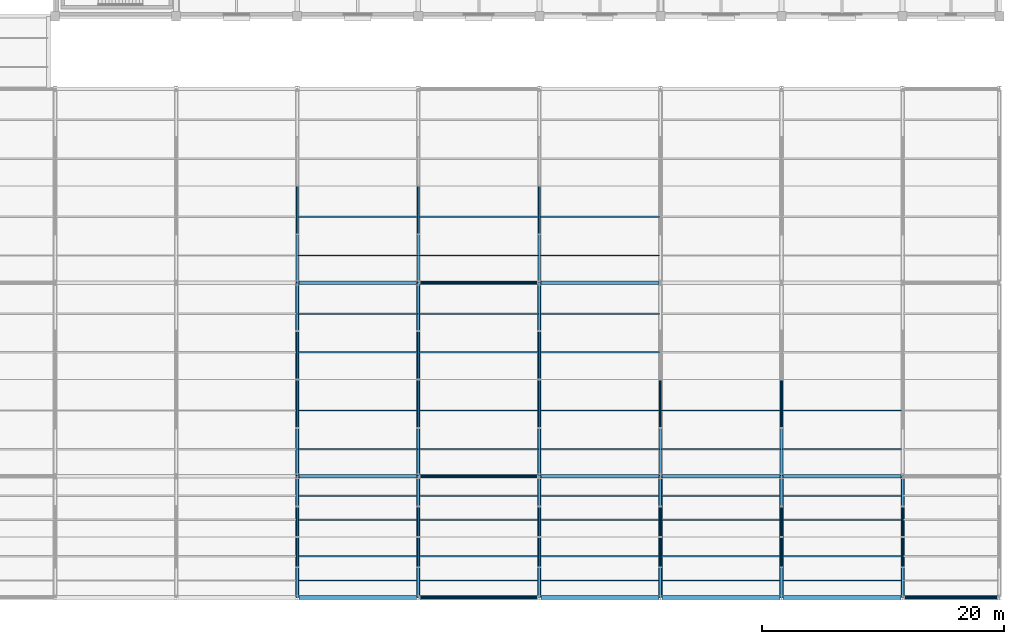
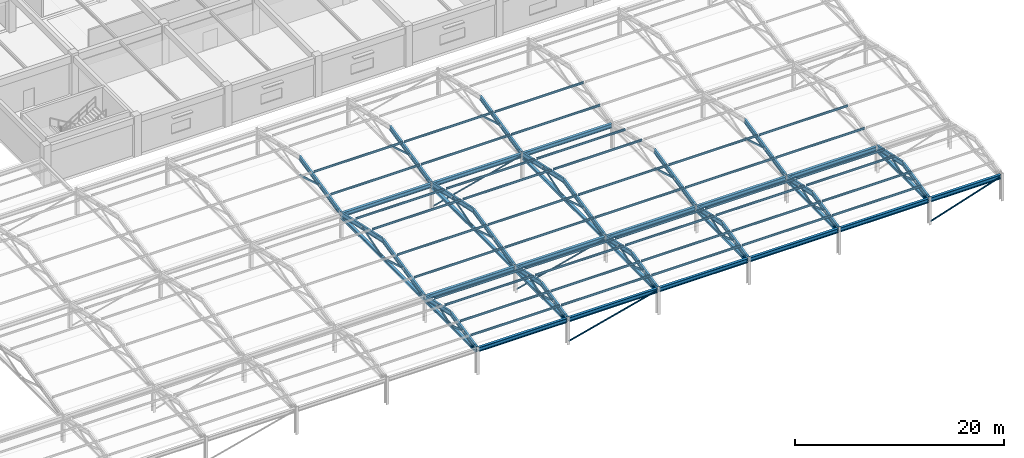
# One storey, part 48 of 109: 78 members, 37 beams.
"""IFC4 building model written with IfcOpenShell, lengths in metres."""

import ifcopenshell
import ifcopenshell.guid

model = None  # the IFC model being written
_history = None  # IfcOwnerHistory: only IFC2X3 demands one
_inside = {}  # id of a spatial element -> (the spatial element, [elements in it])
_under = {}  # id of a project, library or spatial element -> (it, [spatial elements below it])
_declared = {}  # id of a project -> (the project, [libraries it declares])
_typed = {}  # id of a type object -> (the type object, [elements of that type])
_made_of = {}  # id of a material, layer set ... -> (it, [elements and type objects made of it])


def new_model(schema):
    """Start an empty IFC model of exactly this schema.

    Asked for "IFC4X3", IfcOpenShell would pick the latest addendum, in which some entities
    have other attributes; the version numbers below select the first issue.
    IFC2X3 requires an IfcOwnerHistory on every rooted entity: one is made here for all.
    """
    global model, _history
    if schema == "IFC4X3":
        model = ifcopenshell.file(schema_version=(4, 3, 0, 0))
    else:
        model = ifcopenshell.file(schema=schema)
    _inside.clear()
    _under.clear()
    _declared.clear()
    _typed.clear()
    _made_of.clear()
    _history = None
    if model.schema == "IFC2X3":
        org = make("IfcOrganization", Name="unknown")
        user = make(
            "IfcPersonAndOrganization",
            ThePerson=make("IfcPerson", FamilyName="unknown"),
            TheOrganization=org,
        )
        app = make(
            "IfcApplication",
            ApplicationDeveloper=org,
            Version="unknown",
            ApplicationFullName="unknown",
            ApplicationIdentifier="unknown",
        )
        _history = make(
            "IfcOwnerHistory",
            OwningUser=user,
            OwningApplication=app,
            ChangeAction="ADDED",
            CreationDate=0,
        )
    return model


def make(cls, **values):
    """One entity of the class cls with the attributes given. An attribute that is None is left unset."""
    return model.create_entity(
        cls, **{name: value for name, value in values.items() if value is not None}
    )


def rooted(cls, **values):
    """An entity with a GlobalId (a new one), such as an element, a storey or a relation."""
    return make(cls, GlobalId=ifcopenshell.guid.new(), OwnerHistory=_history, **values)


def si_unit(unit_type, name, prefix=None):
    """IfcSIUnit, for example si_unit("LENGTHUNIT", "METRE", prefix="MILLI")."""
    return make("IfcSIUnit", UnitType=unit_type, Prefix=prefix, Name=name)


def assignment(units):
    """IfcUnitAssignment: the units of a project."""
    return None if units is None else make("IfcUnitAssignment", Units=units)


def point(xyz):
    """IfcCartesianPoint."""
    return None if xyz is None else make("IfcCartesianPoint", Coordinates=xyz)


def direction(xyz):
    """IfcDirection."""
    return None if xyz is None else make("IfcDirection", DirectionRatios=xyz)


def frame(location, z_axis=None, x_axis=None):
    """IfcAxis2Placement3D, a coordinate frame: its origin and axes. An axis left out is left unset."""
    return make(
        "IfcAxis2Placement3D",
        Location=point(location),
        Axis=direction(z_axis),
        RefDirection=direction(x_axis),
    )


def frame_2d(location, x_axis=None):
    """IfcAxis2Placement2D, a coordinate frame in the plane: its origin and x axis."""
    return make(
        "IfcAxis2Placement2D", Location=point(location), RefDirection=direction(x_axis)
    )


def origin():
    """The frame at (0, 0, 0) with its axes left unset."""
    return frame((0.0, 0.0, 0.0))


def origin_2d():
    """The frame at (0, 0) in the plane with its x axis left unset."""
    return frame_2d((0.0, 0.0))


def place(relative_to, where):
    """IfcLocalPlacement: puts the frame where relative to a parent placement (None: the world)."""
    return make(
        "IfcLocalPlacement", PlacementRelTo=relative_to, RelativePlacement=where
    )


def context(
    kind, dimensions, precision=None, world=None, true_north=None, identifier=None
):
    """IfcGeometricRepresentationContext, for example the 3D "Model" context."""
    return make(
        "IfcGeometricRepresentationContext",
        ContextIdentifier=identifier,
        ContextType=kind,
        CoordinateSpaceDimension=dimensions,
        Precision=precision,
        WorldCoordinateSystem=world,
        TrueNorth=true_north,
    )


def subcontext(parent, identifier, kind, view, scale=None):
    """IfcGeometricRepresentationSubContext, for example "Body" below "Model"."""
    return make(
        "IfcGeometricRepresentationSubContext",
        ContextIdentifier=identifier,
        ContextType=kind,
        ParentContext=parent,
        TargetScale=scale,
        TargetView=view,
    )


def project(units=None, contexts=None):
    """IfcProject with its units and contexts."""
    return rooted(
        "IfcProject",
        Name="project",
        RepresentationContexts=contexts,
        UnitsInContext=assignment(units),
    )


def spatial(cls, under=None, at=None, **own):
    """A site, building, storey or space (cls), placed at a placement, below another one or the project."""
    s = rooted(cls, ObjectPlacement=at, **own)
    if under is not None:
        _under.setdefault(under.id(), (under, []))[1].append(s)
    return s


def profile(cls, at=None, kind="AREA", **sizes):
    """A parametric profile (cls). Its sizes go by their IFC names, for example OverallWidth=200.0."""
    return make(cls, ProfileType=kind, Position=at, **sizes)


def hollow_rectangle(**sizes):
    """IfcRectangleHollowProfileDef."""
    return profile("IfcRectangleHollowProfileDef", **sizes)


def hollow_circle(**sizes):
    """IfcCircleHollowProfileDef."""
    return profile("IfcCircleHollowProfileDef", **sizes)


def i_section(**sizes):
    """IfcIShapeProfileDef."""
    return profile("IfcIShapeProfileDef", **sizes)


def extrude(swept, where, along, depth):
    """IfcExtrudedAreaSolid: the profile swept, set in the frame where, extruded along a direction by depth."""
    return make(
        "IfcExtrudedAreaSolid",
        SweptArea=swept,
        Position=where,
        ExtrudedDirection=direction(along),
        Depth=depth,
    )


def shape(context_of_items, identifier, shape_type, items):
    """IfcShapeRepresentation: the items that make up one representation, for example the "Body"."""
    return make(
        "IfcShapeRepresentation",
        ContextOfItems=context_of_items,
        RepresentationIdentifier=identifier,
        RepresentationType=shape_type,
        Items=items,
    )


def material(Name=None, Category=None):
    """IfcMaterial."""
    return make("IfcMaterial", Name=Name, Category=Category)


def material_profile(
    of_material, cross_section, Name=None, Category=None, Priority=None
):
    """IfcMaterialProfile: a cross section and its material."""
    return make(
        "IfcMaterialProfile",
        Name=Name,
        Material=of_material,
        Profile=cross_section,
        Priority=Priority,
        Category=Category,
    )


def profile_set(profiles, Name=None, composite=None):
    """IfcMaterialProfileSet."""
    return make(
        "IfcMaterialProfileSet",
        Name=Name,
        MaterialProfiles=profiles,
        CompositeProfile=composite,
    )


def made_of(thing, what):
    """Note that an element or type object is made of a material, layer set ...; save() writes the relation."""
    if what is not None:
        _made_of.setdefault(what.id(), (what, []))[1].append(thing)
    return thing


def type_object(cls, material=None, **own):
    """A type object (cls), such as IfcWallType, which elements share."""
    return made_of(rooted(cls, **own), material)


def element(
    cls,
    number,
    at=None,
    inside=None,
    cuts=None,
    type_object=None,
    material=None,
    context=None,
    identifier="Body",
    shape_type=None,
    held_by="IfcProductDefinitionShape",
    body=None,
    shapes=None,
    **own,
):
    """One element of the class cls, such as IfcWall. Its Tag is "e" and its number.

    at: its placement. inside: the storey or other place that contains it. cuts: it is an
    opening in that element (IfcRelVoidsElement). A single representation is given by context,
    identifier, shape_type and body (its items); several are given by shapes. held_by: the class
    of the entity that holds the representations. save() writes the other relations.
    """
    e = rooted(cls, Tag="e%d" % number, ObjectPlacement=at, **own)
    if body is not None:
        shapes = [shape(context, identifier, shape_type, body)]
    if shapes is not None:
        e.Representation = make(held_by, Representations=shapes)
    if inside is not None:
        _inside.setdefault(inside.id(), (inside, []))[1].append(e)
    if cuts is not None:
        rooted(
            "IfcRelVoidsElement", RelatingBuildingElement=cuts, RelatedOpeningElement=e
        )
    if type_object is not None:
        _typed.setdefault(type_object.id(), (type_object, []))[1].append(e)
    return made_of(e, material)


def aggregate(whole, parts):
    """IfcRelAggregates: a whole, such as a stair, and the parts it consists of."""
    return rooted("IfcRelAggregates", RelatingObject=whole, RelatedObjects=parts)


def save(model, path):
    """Write the relations noted so far, then the file.

    IfcRelAggregates (storeys below a building ...), IfcRelContainedInSpatialStructure (elements
    in a storey), IfcRelDefinesByType, IfcRelAssociatesMaterial and IfcRelDeclares: one each for
    every whole, place, type object, material and project.
    """
    for whole, parts in _under.values():
        aggregate(whole, parts)
    for where, things in _inside.values():
        rooted(
            "IfcRelContainedInSpatialStructure",
            RelatedElements=things,
            RelatingStructure=where,
        )
    for kind, things in _typed.values():
        rooted("IfcRelDefinesByType", RelatedObjects=things, RelatingType=kind)
    for what, things in _made_of.values():
        rooted("IfcRelAssociatesMaterial", RelatedObjects=things, RelatingMaterial=what)
    for by, libraries in _declared.values():
        rooted("IfcRelDeclares", RelatingContext=by, RelatedDefinitions=libraries)
    model.write(path)


model = new_model("IFC4")

# Units and contexts
model_context = context("Model", 3, precision=1e-05, world=origin(), true_north=direction((0.0, 1.0)))
body_context = subcontext(model_context, "Body", "Model", "MODEL_VIEW")
ifc_project = project(units=[si_unit("LENGTHUNIT", "METRE"), si_unit("AREAUNIT", "SQUARE_METRE"), si_unit("VOLUMEUNIT", "CUBIC_METRE"), si_unit("PLANEANGLEUNIT", "RADIAN"), si_unit("MASSUNIT", "GRAM", prefix="KILO")], contexts=[model_context])

# Site, building, storey
site_placement = place(None, origin())
site = spatial("IfcSite", under=ifc_project, at=site_placement, CompositionType="ELEMENT")
building_placement = place(site_placement, origin())
building = spatial("IfcBuilding", under=site, at=building_placement, Name="Kivolera Central Railway Station", CompositionType="ELEMENT")
storey_placement = place(building_placement, frame((0.0, 0.0, 9.60009765625)))
storey = spatial("IfcBuildingStorey", under=building, at=storey_placement, Name="L02", CompositionType="ELEMENT", Elevation=9.60009765625)

# Beams
ifc_material = material(Name="Steel S355", Category="steel")
ifc_material_profile_1 = material_profile(ifc_material, i_section(OverallWidth=0.300048828125, OverallDepth=0.489990234375, WebThickness=0.011962890625, FlangeThickness=0.02294921875, FilletRadius=0.027099609375, at=origin_2d()), Name="HEA 500")
ifc_profile_set_1 = profile_set([ifc_material_profile_1], Name="Steel S355")
beam_type_1 = type_object("IfcBeamType", Name="BM-SHD-HEA500", PredefinedType="BEAM", material=ifc_profile_set_1)
for number, where, z_axis, x_axis, name in (
    (1, (138.136962890625, 6.0, 2.81982421875), (1.0, 0.0, 0.0), (0.0, 1.0, 0.0), "Train Shed Eave Girder A:14-15"),
    (2, (138.136962890625, 16.0, 2.81982421875), (1.0, 0.0, 0.0), (0.0, 1.0, 0.0), "Train Shed Eave Girder B:14-15"),
    (3, (138.136962890625, 32.0, 2.81982421875), (1.0, 0.0, 0.0), (0.0, 1.0, 0.0), "Train Shed Eave Girder C:14-15"),
    (4, (148.136962890625, 6.0, 2.81982421875), (1.0, 0.0, 0.0), (0.0, 1.0, 0.0), "Train Shed Eave Girder A:15-16"),
    (5, (148.136962890625, 16.0, 2.81982421875), (1.0, 0.0, 0.0), (0.0, 1.0, 0.0), "Train Shed Eave Girder B:15-16"),
    (6, (148.136962890625, 32.0, 2.81982421875), (1.0, 0.0, 0.0), (0.0, 1.0, 0.0), "Train Shed Eave Girder C:15-16"),
    (7, (158.136962890625, 6.0, 2.81982421875), (1.0, 0.0, 0.0), (0.0, 1.0, 0.0), "Train Shed Eave Girder A:16-17"),
    (8, (158.136962890625, 16.0, 2.81982421875), (1.0, 0.0, 0.0), (0.0, 1.0, 0.0), "Train Shed Eave Girder B:16-17"),
    (9, (158.136962890625, 32.0, 2.81982421875), (1.0, 0.0, 0.0), (0.0, 1.0, 0.0), "Train Shed Eave Girder C:16-17"),
    (10, (168.136962890625, 6.0, 2.81982421875), (1.0, 0.0, 0.0), (0.0, 1.0, 0.0), "Train Shed Eave Girder A:17-18"),
    (11, (168.136962890625, 16.0, 2.81982421875), (1.0, 0.0, 0.0), (0.0, 1.0, 0.0), "Train Shed Eave Girder B:17-18"),
    (12, (178.136962890625, 6.0, 2.81982421875), (1.0, 0.0, 0.0), (0.0, 1.0, 0.0), "Train Shed Eave Girder A:18-19"),
    (13, (178.136962890625, 16.0, 2.81982421875), (1.0, 0.0, 0.0), (0.0, 1.0, 0.0), "Train Shed Eave Girder B:18-19"),
):
    element("IfcBeam", number, at=place(storey_placement, frame(where, z_axis=z_axis, x_axis=x_axis)), inside=storey, type_object=beam_type_1, Name=name, PredefinedType="BEAM", context=body_context, shape_type="SweptSolid", body=[
        extrude(i_section(OverallWidth=0.300048828125, OverallDepth=0.489990234375, WebThickness=0.011962890625, FlangeThickness=0.02294921875, FilletRadius=0.027099609375, at=origin_2d()), origin(), (0.0, 0.0, 1.0), 9.72607421875),
    ])
beam_1_placement = place(storey_placement, frame((188.136962890625, 6.0, 2.81982421875), z_axis=(1.0, 0.0, 0.0), x_axis=(0.0, 1.0, 0.0)))
element("IfcBeam", 14, at=beam_1_placement, inside=storey, type_object=beam_type_1, Name="Train Shed Eave Girder A:19-20", PredefinedType="BEAM", context=body_context, shape_type="SweptSolid", body=[
    extrude(i_section(OverallWidth=0.300048828125, OverallDepth=0.489990234375, WebThickness=0.011962890625, FlangeThickness=0.02294921875, FilletRadius=0.027099609375, at=origin_2d()), origin(), (0.0, 0.0, 1.0), 7.72607421875),
])
ifc_material_profile_2 = material_profile(ifc_material, i_section(OverallWidth=0.209228515625, OverallDepth=0.533203125, WebThickness=0.010009765625, FlangeThickness=0.015625, FilletRadius=0.0126953125, at=origin_2d()), Name="UB 533x210x92")
ifc_profile_set_2 = profile_set([ifc_material_profile_2], Name="Steel S355")
beam_type_2 = type_object("IfcBeamType", Name="BM-SHD-UB533", PredefinedType="BEAM", material=ifc_profile_set_2)
for number, where, z_axis, x_axis, name in (
    (15, (138.0, 6.0, 2.9248046875), (0.0, 0.976640463768, 0.214879977038), (-1.0, 0.0, 0.0), "Train Shed Roof Truss Top Rafter AB-14S"),
    (16, (138.0, 11.0, 4.02490234375), (0.0, 0.976640463768, -0.214879977038), (-1.0, 0.0, 0.0), "Train Shed Roof Truss Top Rafter AB-14N"),
):
    element("IfcBeam", number, at=place(storey_placement, frame(where, z_axis=z_axis, x_axis=x_axis)), inside=storey, type_object=beam_type_2, Name=name, PredefinedType="BEAM", context=body_context, shape_type="SweptSolid", body=[
        extrude(i_section(OverallWidth=0.209228515625, OverallDepth=0.533203125, WebThickness=0.010009765625, FlangeThickness=0.015625, FilletRadius=0.0126953125, at=origin_2d()), origin(), (0.0, 0.0, 1.0), 5.11962890625),
    ])
for number, where, z_axis, x_axis, name in (
    (17, (138.0, 16.0, 2.9248046875), (0.0, 0.97664421653, 0.214862919829), (-1.0, 0.0, 0.0), "Train Shed Roof Truss Top Rafter BC-14S"),
    (18, (138.0, 24.0, 4.684814453125), (0.0, 0.97664421653, -0.214862919829), (-1.0, 0.0, 0.0), "Train Shed Roof Truss Top Rafter BC-14N"),
    (19, (138.0, 32.0, 2.9248046875), (0.0, 0.97664421653, 0.214862919829), (-1.0, 0.0, 0.0), "Train Shed Roof Truss Top Rafter CD-14S"),
):
    element("IfcBeam", number, at=place(storey_placement, frame(where, z_axis=z_axis, x_axis=x_axis)), inside=storey, type_object=beam_type_2, Name=name, PredefinedType="BEAM", context=body_context, shape_type="SweptSolid", body=[
        extrude(i_section(OverallWidth=0.209228515625, OverallDepth=0.533203125, WebThickness=0.010009765625, FlangeThickness=0.015625, FilletRadius=0.0126953125, at=origin_2d()), origin(), (0.0, 0.0, 1.0), 8.19140625),
    ])
for number, where, z_axis, x_axis, name in (
    (20, (148.0, 6.0, 2.9248046875), (0.0, 0.976640463768, 0.214879977038), (-1.0, 0.0, 0.0), "Train Shed Roof Truss Top Rafter AB-15S"),
    (21, (148.0, 11.0, 4.02490234375), (0.0, 0.976640463768, -0.214879977038), (-1.0, 0.0, 0.0), "Train Shed Roof Truss Top Rafter AB-15N"),
):
    element("IfcBeam", number, at=place(storey_placement, frame(where, z_axis=z_axis, x_axis=x_axis)), inside=storey, type_object=beam_type_2, Name=name, PredefinedType="BEAM", context=body_context, shape_type="SweptSolid", body=[
        extrude(i_section(OverallWidth=0.209228515625, OverallDepth=0.533203125, WebThickness=0.010009765625, FlangeThickness=0.015625, FilletRadius=0.0126953125, at=origin_2d()), origin(), (0.0, 0.0, 1.0), 5.11962890625),
    ])
for number, where, z_axis, x_axis, name in (
    (22, (148.0, 16.0, 2.9248046875), (0.0, 0.97664421653, 0.214862919829), (-1.0, 0.0, 0.0), "Train Shed Roof Truss Top Rafter BC-15S"),
    (23, (148.0, 24.0, 4.684814453125), (0.0, 0.97664421653, -0.214862919829), (-1.0, 0.0, 0.0), "Train Shed Roof Truss Top Rafter BC-15N"),
    (24, (148.0, 32.0, 2.9248046875), (0.0, 0.97664421653, 0.214862919829), (-1.0, 0.0, 0.0), "Train Shed Roof Truss Top Rafter CD-15S"),
):
    element("IfcBeam", number, at=place(storey_placement, frame(where, z_axis=z_axis, x_axis=x_axis)), inside=storey, type_object=beam_type_2, Name=name, PredefinedType="BEAM", context=body_context, shape_type="SweptSolid", body=[
        extrude(i_section(OverallWidth=0.209228515625, OverallDepth=0.533203125, WebThickness=0.010009765625, FlangeThickness=0.015625, FilletRadius=0.0126953125, at=origin_2d()), origin(), (0.0, 0.0, 1.0), 8.19140625),
    ])
for number, where, z_axis, x_axis, name in (
    (25, (158.0, 6.0, 2.9248046875), (0.0, 0.976640463768, 0.214879977038), (-1.0, 0.0, 0.0), "Train Shed Roof Truss Top Rafter AB-16S"),
    (26, (158.0, 11.0, 4.02490234375), (0.0, 0.976640463768, -0.214879977038), (-1.0, 0.0, 0.0), "Train Shed Roof Truss Top Rafter AB-16N"),
):
    element("IfcBeam", number, at=place(storey_placement, frame(where, z_axis=z_axis, x_axis=x_axis)), inside=storey, type_object=beam_type_2, Name=name, PredefinedType="BEAM", context=body_context, shape_type="SweptSolid", body=[
        extrude(i_section(OverallWidth=0.209228515625, OverallDepth=0.533203125, WebThickness=0.010009765625, FlangeThickness=0.015625, FilletRadius=0.0126953125, at=origin_2d()), origin(), (0.0, 0.0, 1.0), 5.11962890625),
    ])
for number, where, z_axis, x_axis, name in (
    (27, (158.0, 16.0, 2.9248046875), (0.0, 0.97664421653, 0.214862919829), (-1.0, 0.0, 0.0), "Train Shed Roof Truss Top Rafter BC-16S"),
    (28, (158.0, 24.0, 4.684814453125), (0.0, 0.97664421653, -0.214862919829), (-1.0, 0.0, 0.0), "Train Shed Roof Truss Top Rafter BC-16N"),
    (29, (158.0, 32.0, 2.9248046875), (0.0, 0.97664421653, 0.214862919829), (-1.0, 0.0, 0.0), "Train Shed Roof Truss Top Rafter CD-16S"),
):
    element("IfcBeam", number, at=place(storey_placement, frame(where, z_axis=z_axis, x_axis=x_axis)), inside=storey, type_object=beam_type_2, Name=name, PredefinedType="BEAM", context=body_context, shape_type="SweptSolid", body=[
        extrude(i_section(OverallWidth=0.209228515625, OverallDepth=0.533203125, WebThickness=0.010009765625, FlangeThickness=0.015625, FilletRadius=0.0126953125, at=origin_2d()), origin(), (0.0, 0.0, 1.0), 8.19140625),
    ])
for number, where, z_axis, x_axis, name in (
    (30, (168.0, 6.0, 2.9248046875), (0.0, 0.976640463768, 0.214879977038), (-1.0, 0.0, 0.0), "Train Shed Roof Truss Top Rafter AB-17S"),
    (31, (168.0, 11.0, 4.02490234375), (0.0, 0.976640463768, -0.214879977038), (-1.0, 0.0, 0.0), "Train Shed Roof Truss Top Rafter AB-17N"),
):
    element("IfcBeam", number, at=place(storey_placement, frame(where, z_axis=z_axis, x_axis=x_axis)), inside=storey, type_object=beam_type_2, Name=name, PredefinedType="BEAM", context=body_context, shape_type="SweptSolid", body=[
        extrude(i_section(OverallWidth=0.209228515625, OverallDepth=0.533203125, WebThickness=0.010009765625, FlangeThickness=0.015625, FilletRadius=0.0126953125, at=origin_2d()), origin(), (0.0, 0.0, 1.0), 5.11962890625),
    ])
beam_2_placement = place(storey_placement, frame((168.0, 16.0, 2.9248046875), z_axis=(0.0, 0.97664421653, 0.214862919829), x_axis=(-1.0, 0.0, 0.0)))
element("IfcBeam", 32, at=beam_2_placement, inside=storey, type_object=beam_type_2, Name="Train Shed Roof Truss Top Rafter BC-17S", PredefinedType="BEAM", context=body_context, shape_type="SweptSolid", body=[
    extrude(i_section(OverallWidth=0.209228515625, OverallDepth=0.533203125, WebThickness=0.010009765625, FlangeThickness=0.015625, FilletRadius=0.0126953125, at=origin_2d()), origin(), (0.0, 0.0, 1.0), 8.19140625),
])
for number, where, z_axis, x_axis, name in (
    (33, (178.0, 6.0, 2.9248046875), (0.0, 0.976640463768, 0.214879977038), (-1.0, 0.0, 0.0), "Train Shed Roof Truss Top Rafter AB-18S"),
    (34, (178.0, 11.0, 4.02490234375), (0.0, 0.976640463768, -0.214879977038), (-1.0, 0.0, 0.0), "Train Shed Roof Truss Top Rafter AB-18N"),
):
    element("IfcBeam", number, at=place(storey_placement, frame(where, z_axis=z_axis, x_axis=x_axis)), inside=storey, type_object=beam_type_2, Name=name, PredefinedType="BEAM", context=body_context, shape_type="SweptSolid", body=[
        extrude(i_section(OverallWidth=0.209228515625, OverallDepth=0.533203125, WebThickness=0.010009765625, FlangeThickness=0.015625, FilletRadius=0.0126953125, at=origin_2d()), origin(), (0.0, 0.0, 1.0), 5.11962890625),
    ])
beam_3_placement = place(storey_placement, frame((178.0, 16.0, 2.9248046875), z_axis=(0.0, 0.97664421653, 0.214862919829), x_axis=(-1.0, 0.0, 0.0)))
element("IfcBeam", 35, at=beam_3_placement, inside=storey, type_object=beam_type_2, Name="Train Shed Roof Truss Top Rafter BC-18S", PredefinedType="BEAM", context=body_context, shape_type="SweptSolid", body=[
    extrude(i_section(OverallWidth=0.209228515625, OverallDepth=0.533203125, WebThickness=0.010009765625, FlangeThickness=0.015625, FilletRadius=0.0126953125, at=origin_2d()), origin(), (0.0, 0.0, 1.0), 8.19140625),
])
for number, where, z_axis, x_axis, name in (
    (36, (188.0, 6.0, 2.9248046875), (0.0, 0.976640463768, 0.214879977038), (-1.0, 0.0, 0.0), "Train Shed Roof Truss Top Rafter AB-19S"),
    (37, (188.0, 11.0, 4.02490234375), (0.0, 0.976640463768, -0.214879977038), (-1.0, 0.0, 0.0), "Train Shed Roof Truss Top Rafter AB-19N"),
):
    element("IfcBeam", number, at=place(storey_placement, frame(where, z_axis=z_axis, x_axis=x_axis)), inside=storey, type_object=beam_type_2, Name=name, PredefinedType="BEAM", context=body_context, shape_type="SweptSolid", body=[
        extrude(i_section(OverallWidth=0.209228515625, OverallDepth=0.533203125, WebThickness=0.010009765625, FlangeThickness=0.015625, FilletRadius=0.0126953125, at=origin_2d()), origin(), (0.0, 0.0, 1.0), 5.11962890625),
    ])

# Members
ifc_material_profile_3 = material_profile(ifc_material, hollow_circle(Radius=0.084228515625, WallThickness=0.008056640625, at=origin_2d()), Name="CHS 168.3x8")
ifc_profile_set_3 = profile_set([ifc_material_profile_3], Name="Steel S355")
member_type_1 = type_object("IfcMemberType", Name="MEM-BRC-CHS168", PredefinedType="BRACE", material=ifc_profile_set_3)
for number, where, z_axis, x_axis, name in (
    (38, (148.126953125, 6.0, 0.25), (0.96863991136, 0.0, 0.248468754818), (0.0, 1.0, 0.0), "Train Shed Longitudinal Portal Brace A:15-16"),
    (39, (148.126953125, 16.0, 0.25), (0.96863991136, 0.0, 0.248468754818), (0.0, 1.0, 0.0), "Train Shed Longitudinal Portal Brace B:15-16"),
    (40, (148.126953125, 32.0, 0.25), (0.96863991136, 0.0, 0.248468754818), (0.0, 1.0, 0.0), "Train Shed Longitudinal Portal Brace C:15-16"),
):
    element("IfcMember", number, at=place(storey_placement, frame(where, z_axis=z_axis, x_axis=x_axis)), inside=storey, type_object=member_type_1, Name=name, PredefinedType="BRACE", context=body_context, shape_type="SweptSolid", body=[
        extrude(hollow_circle(Radius=0.084228515625, WallThickness=0.008056640625, at=origin_2d()), origin(), (0.0, 0.0, 1.0), 10.0615234375),
    ])
member_1_placement = place(storey_placement, frame((188.126953125, 6.0, 0.25), z_axis=(0.951663375487, 0.0, 0.307142995618), x_axis=(0.0, 1.0, 0.0)))
element("IfcMember", 41, at=member_1_placement, inside=storey, type_object=member_type_1, Name="Train Shed Longitudinal Portal Brace A:19-20", PredefinedType="BRACE", context=body_context, shape_type="SweptSolid", body=[
    extrude(hollow_circle(Radius=0.084228515625, WallThickness=0.008056640625, at=origin_2d()), origin(), (0.0, 0.0, 1.0), 8.1396484375),
])
ifc_material_profile_4 = material_profile(ifc_material, i_section(OverallWidth=0.300048828125, OverallDepth=0.300048828125, WebThickness=0.010986328125, FlangeThickness=0.01904296875, FilletRadius=0.027099609375, at=origin_2d()), Name="HEB 300")
ifc_profile_set_4 = profile_set([ifc_material_profile_4], Name="Steel S355")
member_type_2 = type_object("IfcMemberType", Name="MEM-CHD-HEB300", PredefinedType="CHORD", material=ifc_profile_set_4)
member_2_placement = place(storey_placement, frame((138.0, 6.080078125, 2.619873046875), z_axis=(0.0, 1.0, 0.0), x_axis=(-1.0, 0.0, 0.0)))
element("IfcMember", 42, at=member_2_placement, inside=storey, type_object=member_type_2, Name="Train Shed Roof Truss Bottom Tie Chord AB-14", PredefinedType="CHORD", context=body_context, shape_type="SweptSolid", body=[
    extrude(i_section(OverallWidth=0.300048828125, OverallDepth=0.300048828125, WebThickness=0.010986328125, FlangeThickness=0.01904296875, FilletRadius=0.027099609375, at=origin_2d()), origin(), (0.0, 0.0, 1.0), 9.83984375),
])
member_3_placement = place(storey_placement, frame((138.0, 16.080078125, 2.619873046875), z_axis=(0.0, 1.0, 0.0), x_axis=(-1.0, 0.0, 0.0)))
element("IfcMember", 43, at=member_3_placement, inside=storey, type_object=member_type_2, Name="Train Shed Roof Truss Bottom Tie Chord BC-14", PredefinedType="CHORD", context=body_context, shape_type="SweptSolid", body=[
    extrude(i_section(OverallWidth=0.300048828125, OverallDepth=0.300048828125, WebThickness=0.010986328125, FlangeThickness=0.01904296875, FilletRadius=0.027099609375, at=origin_2d()), origin(), (0.0, 0.0, 1.0), 15.83984375),
])
member_4_placement = place(storey_placement, frame((148.0, 6.080078125, 2.619873046875), z_axis=(0.0, 1.0, 0.0), x_axis=(-1.0, 0.0, 0.0)))
element("IfcMember", 44, at=member_4_placement, inside=storey, type_object=member_type_2, Name="Train Shed Roof Truss Bottom Tie Chord AB-15", PredefinedType="CHORD", context=body_context, shape_type="SweptSolid", body=[
    extrude(i_section(OverallWidth=0.300048828125, OverallDepth=0.300048828125, WebThickness=0.010986328125, FlangeThickness=0.01904296875, FilletRadius=0.027099609375, at=origin_2d()), origin(), (0.0, 0.0, 1.0), 9.83984375),
])
member_5_placement = place(storey_placement, frame((148.0, 16.080078125, 2.619873046875), z_axis=(0.0, 1.0, 0.0), x_axis=(-1.0, 0.0, 0.0)))
element("IfcMember", 45, at=member_5_placement, inside=storey, type_object=member_type_2, Name="Train Shed Roof Truss Bottom Tie Chord BC-15", PredefinedType="CHORD", context=body_context, shape_type="SweptSolid", body=[
    extrude(i_section(OverallWidth=0.300048828125, OverallDepth=0.300048828125, WebThickness=0.010986328125, FlangeThickness=0.01904296875, FilletRadius=0.027099609375, at=origin_2d()), origin(), (0.0, 0.0, 1.0), 15.83984375),
])
member_6_placement = place(storey_placement, frame((158.0, 6.080078125, 2.619873046875), z_axis=(0.0, 1.0, 0.0), x_axis=(-1.0, 0.0, 0.0)))
element("IfcMember", 46, at=member_6_placement, inside=storey, type_object=member_type_2, Name="Train Shed Roof Truss Bottom Tie Chord AB-16", PredefinedType="CHORD", context=body_context, shape_type="SweptSolid", body=[
    extrude(i_section(OverallWidth=0.300048828125, OverallDepth=0.300048828125, WebThickness=0.010986328125, FlangeThickness=0.01904296875, FilletRadius=0.027099609375, at=origin_2d()), origin(), (0.0, 0.0, 1.0), 9.83984375),
])
member_7_placement = place(storey_placement, frame((158.0, 16.080078125, 2.619873046875), z_axis=(0.0, 1.0, 0.0), x_axis=(-1.0, 0.0, 0.0)))
element("IfcMember", 47, at=member_7_placement, inside=storey, type_object=member_type_2, Name="Train Shed Roof Truss Bottom Tie Chord BC-16", PredefinedType="CHORD", context=body_context, shape_type="SweptSolid", body=[
    extrude(i_section(OverallWidth=0.300048828125, OverallDepth=0.300048828125, WebThickness=0.010986328125, FlangeThickness=0.01904296875, FilletRadius=0.027099609375, at=origin_2d()), origin(), (0.0, 0.0, 1.0), 15.83984375),
])
for number, where, z_axis, x_axis, name in (
    (48, (168.0, 6.080078125, 2.619873046875), (0.0, 1.0, 0.0), (-1.0, 0.0, 0.0), "Train Shed Roof Truss Bottom Tie Chord AB-17"),
    (49, (178.0, 6.080078125, 2.619873046875), (0.0, 1.0, 0.0), (-1.0, 0.0, 0.0), "Train Shed Roof Truss Bottom Tie Chord AB-18"),
    (50, (188.0, 6.080078125, 2.619873046875), (0.0, 1.0, 0.0), (-1.0, 0.0, 0.0), "Train Shed Roof Truss Bottom Tie Chord AB-19"),
):
    element("IfcMember", number, at=place(storey_placement, frame(where, z_axis=z_axis, x_axis=x_axis)), inside=storey, type_object=member_type_2, Name=name, PredefinedType="CHORD", context=body_context, shape_type="SweptSolid", body=[
        extrude(i_section(OverallWidth=0.300048828125, OverallDepth=0.300048828125, WebThickness=0.010986328125, FlangeThickness=0.01904296875, FilletRadius=0.027099609375, at=origin_2d()), origin(), (0.0, 0.0, 1.0), 9.83984375),
    ])
ifc_material_profile_5 = material_profile(ifc_material, i_section(OverallWidth=0.1201171875, OverallDepth=0.239990234375, WebThickness=0.006103515625, FlangeThickness=0.009765625, FilletRadius=0.014892578125, at=origin_2d()), Name="IPE 240")
ifc_profile_set_5 = profile_set([ifc_material_profile_5], Name="Steel S355")
member_type_3 = type_object("IfcMemberType", Name="MEM-PUR-IPE240", PredefinedType="PURLIN", material=ifc_profile_set_5)
for number, where, z_axis, x_axis, name in (
    (51, (138.080078125, 7.39990234375, 3.61279296875), (1.0, 0.0, 0.0), (0.0, 1.0, 0.0), "Train Shed Roof Purlin AB-14-S1"),
    (52, (138.080078125, 12.39990234375, 4.096923828125), (1.0, 0.0, 0.0), (0.0, 1.0, 0.0), "Train Shed Roof Purlin AB-14-N1"),
    (53, (138.080078125, 9.39990234375, 4.052978515625), (1.0, 0.0, 0.0), (0.0, 1.0, 0.0), "Train Shed Roof Purlin AB-14-S2"),
    (54, (138.080078125, 14.39990234375, 3.656982421875), (1.0, 0.0, 0.0), (0.0, 1.0, 0.0), "Train Shed Roof Purlin AB-14-N2"),
    (55, (138.080078125, 18.239990234375, 3.7978515625), (1.0, 0.0, 0.0), (0.0, 1.0, 0.0), "Train Shed Roof Purlin BC-14-S1"),
    (56, (138.080078125, 26.239990234375, 4.572021484375), (1.0, 0.0, 0.0), (0.0, 1.0, 0.0), "Train Shed Roof Purlin BC-14-N1"),
    (57, (138.080078125, 21.43994140625, 4.501953125), (1.0, 0.0, 0.0), (0.0, 1.0, 0.0), "Train Shed Roof Purlin BC-14-S2"),
    (58, (138.080078125, 29.43994140625, 3.867919921875), (1.0, 0.0, 0.0), (0.0, 1.0, 0.0), "Train Shed Roof Purlin BC-14-N2"),
    (59, (138.080078125, 34.239990234375, 3.7978515625), (1.0, 0.0, 0.0), (0.0, 1.0, 0.0), "Train Shed Roof Purlin CD-14-S1"),
    (60, (138.080078125, 37.43994140625, 4.501953125), (1.0, 0.0, 0.0), (0.0, 1.0, 0.0), "Train Shed Roof Purlin CD-14-S2"),
    (61, (148.080078125, 7.39990234375, 3.61279296875), (1.0, 0.0, 0.0), (0.0, 1.0, 0.0), "Train Shed Roof Purlin AB-15-S1"),
    (62, (148.080078125, 12.39990234375, 4.096923828125), (1.0, 0.0, 0.0), (0.0, 1.0, 0.0), "Train Shed Roof Purlin AB-15-N1"),
    (63, (148.080078125, 9.39990234375, 4.052978515625), (1.0, 0.0, 0.0), (0.0, 1.0, 0.0), "Train Shed Roof Purlin AB-15-S2"),
    (64, (148.080078125, 14.39990234375, 3.656982421875), (1.0, 0.0, 0.0), (0.0, 1.0, 0.0), "Train Shed Roof Purlin AB-15-N2"),
    (65, (148.080078125, 18.239990234375, 3.7978515625), (1.0, 0.0, 0.0), (0.0, 1.0, 0.0), "Train Shed Roof Purlin BC-15-S1"),
    (66, (148.080078125, 26.239990234375, 4.572021484375), (1.0, 0.0, 0.0), (0.0, 1.0, 0.0), "Train Shed Roof Purlin BC-15-N1"),
    (67, (148.080078125, 21.43994140625, 4.501953125), (1.0, 0.0, 0.0), (0.0, 1.0, 0.0), "Train Shed Roof Purlin BC-15-S2"),
    (68, (148.080078125, 29.43994140625, 3.867919921875), (1.0, 0.0, 0.0), (0.0, 1.0, 0.0), "Train Shed Roof Purlin BC-15-N2"),
    (69, (148.080078125, 34.239990234375, 3.7978515625), (1.0, 0.0, 0.0), (0.0, 1.0, 0.0), "Train Shed Roof Purlin CD-15-S1"),
    (70, (148.080078125, 37.43994140625, 4.501953125), (1.0, 0.0, 0.0), (0.0, 1.0, 0.0), "Train Shed Roof Purlin CD-15-S2"),
    (71, (158.080078125, 7.39990234375, 3.61279296875), (1.0, 0.0, 0.0), (0.0, 1.0, 0.0), "Train Shed Roof Purlin AB-16-S1"),
    (72, (158.080078125, 12.39990234375, 4.096923828125), (1.0, 0.0, 0.0), (0.0, 1.0, 0.0), "Train Shed Roof Purlin AB-16-N1"),
    (73, (158.080078125, 9.39990234375, 4.052978515625), (1.0, 0.0, 0.0), (0.0, 1.0, 0.0), "Train Shed Roof Purlin AB-16-S2"),
    (74, (158.080078125, 14.39990234375, 3.656982421875), (1.0, 0.0, 0.0), (0.0, 1.0, 0.0), "Train Shed Roof Purlin AB-16-N2"),
    (75, (158.080078125, 18.239990234375, 3.7978515625), (1.0, 0.0, 0.0), (0.0, 1.0, 0.0), "Train Shed Roof Purlin BC-16-S1"),
    (76, (158.080078125, 26.239990234375, 4.572021484375), (1.0, 0.0, 0.0), (0.0, 1.0, 0.0), "Train Shed Roof Purlin BC-16-N1"),
    (77, (158.080078125, 21.43994140625, 4.501953125), (1.0, 0.0, 0.0), (0.0, 1.0, 0.0), "Train Shed Roof Purlin BC-16-S2"),
    (78, (158.080078125, 29.43994140625, 3.867919921875), (1.0, 0.0, 0.0), (0.0, 1.0, 0.0), "Train Shed Roof Purlin BC-16-N2"),
    (79, (158.080078125, 34.239990234375, 3.7978515625), (1.0, 0.0, 0.0), (0.0, 1.0, 0.0), "Train Shed Roof Purlin CD-16-S1"),
    (80, (158.080078125, 37.43994140625, 4.501953125), (1.0, 0.0, 0.0), (0.0, 1.0, 0.0), "Train Shed Roof Purlin CD-16-S2"),
    (81, (168.080078125, 7.39990234375, 3.61279296875), (1.0, 0.0, 0.0), (0.0, 1.0, 0.0), "Train Shed Roof Purlin AB-17-S1"),
    (82, (168.080078125, 12.39990234375, 4.096923828125), (1.0, 0.0, 0.0), (0.0, 1.0, 0.0), "Train Shed Roof Purlin AB-17-N1"),
    (83, (168.080078125, 9.39990234375, 4.052978515625), (1.0, 0.0, 0.0), (0.0, 1.0, 0.0), "Train Shed Roof Purlin AB-17-S2"),
    (84, (168.080078125, 14.39990234375, 3.656982421875), (1.0, 0.0, 0.0), (0.0, 1.0, 0.0), "Train Shed Roof Purlin AB-17-N2"),
    (85, (168.080078125, 18.239990234375, 3.7978515625), (1.0, 0.0, 0.0), (0.0, 1.0, 0.0), "Train Shed Roof Purlin BC-17-S1"),
    (86, (168.080078125, 21.43994140625, 4.501953125), (1.0, 0.0, 0.0), (0.0, 1.0, 0.0), "Train Shed Roof Purlin BC-17-S2"),
    (87, (178.080078125, 7.39990234375, 3.61279296875), (1.0, 0.0, 0.0), (0.0, 1.0, 0.0), "Train Shed Roof Purlin AB-18-S1"),
    (88, (178.080078125, 12.39990234375, 4.096923828125), (1.0, 0.0, 0.0), (0.0, 1.0, 0.0), "Train Shed Roof Purlin AB-18-N1"),
    (89, (178.080078125, 9.39990234375, 4.052978515625), (1.0, 0.0, 0.0), (0.0, 1.0, 0.0), "Train Shed Roof Purlin AB-18-S2"),
    (90, (178.080078125, 14.39990234375, 3.656982421875), (1.0, 0.0, 0.0), (0.0, 1.0, 0.0), "Train Shed Roof Purlin AB-18-N2"),
    (91, (178.080078125, 18.239990234375, 3.7978515625), (1.0, 0.0, 0.0), (0.0, 1.0, 0.0), "Train Shed Roof Purlin BC-18-S1"),
    (92, (178.080078125, 21.43994140625, 4.501953125), (1.0, 0.0, 0.0), (0.0, 1.0, 0.0), "Train Shed Roof Purlin BC-18-S2"),
):
    element("IfcMember", number, at=place(storey_placement, frame(where, z_axis=z_axis, x_axis=x_axis)), inside=storey, type_object=member_type_3, Name=name, PredefinedType="PURLIN", context=body_context, shape_type="SweptSolid", body=[
        extrude(i_section(OverallWidth=0.1201171875, OverallDepth=0.239990234375, WebThickness=0.006103515625, FlangeThickness=0.009765625, FilletRadius=0.014892578125, at=origin_2d()), origin(), (0.0, 0.0, 1.0), 9.83984375),
    ])
ifc_material_profile_6 = material_profile(ifc_material, hollow_rectangle(XDim=0.10009765625, YDim=0.199951171875, WallThickness=0.010009765625, at=origin_2d()), Name="RHS 200x100x10")
ifc_profile_set_6 = profile_set([ifc_material_profile_6], Name="Steel S355")
member_type_4 = type_object("IfcMemberType", Name="MEM-STR-RHS200", PredefinedType="STRUT", material=ifc_profile_set_6)
for number, where, z_axis, x_axis, name in (
    (93, (138.0, 11.0, 2.619873046875), (0.0, -0.946196747594, 0.323591895515), (1.0, 0.0, 0.0), "Train Shed Truss Web Strut AB-14-1"),
    (94, (138.0, 11.0, 2.619873046875), (0.0, 0.946196747594, 0.323591895515), (-1.0, 0.0, 0.0), "Train Shed Truss Web Strut AB-14-2"),
):
    element("IfcMember", number, at=place(storey_placement, frame(where, z_axis=z_axis, x_axis=x_axis)), inside=storey, type_object=member_type_4, Name=name, PredefinedType="STRUT", context=body_context, shape_type="SweptSolid", body=[
        extrude(hollow_rectangle(XDim=0.10009765625, YDim=0.199951171875, WallThickness=0.010009765625, at=origin_2d()), origin(), (0.0, 0.0, 1.0), 2.64208984375),
    ])
for number, where, z_axis, x_axis, name in (
    (95, (138.0, 24.0, 2.619873046875), (0.0, -0.958806377549, 0.284060434364), (1.0, 0.0, 0.0), "Train Shed Truss Web Strut BC-14-1"),
    (96, (138.0, 24.0, 2.619873046875), (0.0, 0.958806377549, 0.284060434364), (-1.0, 0.0, 0.0), "Train Shed Truss Web Strut BC-14-2"),
    (97, (138.0, 40.0, 2.619873046875), (0.0, -0.958806377549, 0.284060434364), (1.0, 0.0, 0.0), "Train Shed Truss Web Strut CD-14-1"),
):
    element("IfcMember", number, at=place(storey_placement, frame(where, z_axis=z_axis, x_axis=x_axis)), inside=storey, type_object=member_type_4, Name=name, PredefinedType="STRUT", context=body_context, shape_type="SweptSolid", body=[
        extrude(hollow_rectangle(XDim=0.10009765625, YDim=0.199951171875, WallThickness=0.010009765625, at=origin_2d()), origin(), (0.0, 0.0, 1.0), 4.171875),
    ])
for number, where, z_axis, x_axis, name in (
    (98, (148.0, 11.0, 2.619873046875), (0.0, -0.946196747594, 0.323591895515), (1.0, 0.0, 0.0), "Train Shed Truss Web Strut AB-15-1"),
    (99, (148.0, 11.0, 2.619873046875), (0.0, 0.946196747594, 0.323591895515), (-1.0, 0.0, 0.0), "Train Shed Truss Web Strut AB-15-2"),
):
    element("IfcMember", number, at=place(storey_placement, frame(where, z_axis=z_axis, x_axis=x_axis)), inside=storey, type_object=member_type_4, Name=name, PredefinedType="STRUT", context=body_context, shape_type="SweptSolid", body=[
        extrude(hollow_rectangle(XDim=0.10009765625, YDim=0.199951171875, WallThickness=0.010009765625, at=origin_2d()), origin(), (0.0, 0.0, 1.0), 2.64208984375),
    ])
for number, where, z_axis, x_axis, name in (
    (100, (148.0, 24.0, 2.619873046875), (0.0, -0.958806377549, 0.284060434364), (1.0, 0.0, 0.0), "Train Shed Truss Web Strut BC-15-1"),
    (101, (148.0, 24.0, 2.619873046875), (0.0, 0.958806377549, 0.284060434364), (-1.0, 0.0, 0.0), "Train Shed Truss Web Strut BC-15-2"),
    (102, (148.0, 40.0, 2.619873046875), (0.0, -0.958806377549, 0.284060434364), (1.0, 0.0, 0.0), "Train Shed Truss Web Strut CD-15-1"),
):
    element("IfcMember", number, at=place(storey_placement, frame(where, z_axis=z_axis, x_axis=x_axis)), inside=storey, type_object=member_type_4, Name=name, PredefinedType="STRUT", context=body_context, shape_type="SweptSolid", body=[
        extrude(hollow_rectangle(XDim=0.10009765625, YDim=0.199951171875, WallThickness=0.010009765625, at=origin_2d()), origin(), (0.0, 0.0, 1.0), 4.171875),
    ])
for number, where, z_axis, x_axis, name in (
    (103, (158.0, 11.0, 2.619873046875), (0.0, -0.946196747594, 0.323591895515), (1.0, 0.0, 0.0), "Train Shed Truss Web Strut AB-16-1"),
    (104, (158.0, 11.0, 2.619873046875), (0.0, 0.946196747594, 0.323591895515), (-1.0, 0.0, 0.0), "Train Shed Truss Web Strut AB-16-2"),
):
    element("IfcMember", number, at=place(storey_placement, frame(where, z_axis=z_axis, x_axis=x_axis)), inside=storey, type_object=member_type_4, Name=name, PredefinedType="STRUT", context=body_context, shape_type="SweptSolid", body=[
        extrude(hollow_rectangle(XDim=0.10009765625, YDim=0.199951171875, WallThickness=0.010009765625, at=origin_2d()), origin(), (0.0, 0.0, 1.0), 2.64208984375),
    ])
for number, where, z_axis, x_axis, name in (
    (105, (158.0, 24.0, 2.619873046875), (0.0, -0.958806377549, 0.284060434364), (1.0, 0.0, 0.0), "Train Shed Truss Web Strut BC-16-1"),
    (106, (158.0, 24.0, 2.619873046875), (0.0, 0.958806377549, 0.284060434364), (-1.0, 0.0, 0.0), "Train Shed Truss Web Strut BC-16-2"),
    (107, (158.0, 40.0, 2.619873046875), (0.0, -0.958806377549, 0.284060434364), (1.0, 0.0, 0.0), "Train Shed Truss Web Strut CD-16-1"),
):
    element("IfcMember", number, at=place(storey_placement, frame(where, z_axis=z_axis, x_axis=x_axis)), inside=storey, type_object=member_type_4, Name=name, PredefinedType="STRUT", context=body_context, shape_type="SweptSolid", body=[
        extrude(hollow_rectangle(XDim=0.10009765625, YDim=0.199951171875, WallThickness=0.010009765625, at=origin_2d()), origin(), (0.0, 0.0, 1.0), 4.171875),
    ])
for number, where, z_axis, x_axis, name in (
    (108, (168.0, 11.0, 2.619873046875), (0.0, -0.946196747594, 0.323591895515), (1.0, 0.0, 0.0), "Train Shed Truss Web Strut AB-17-1"),
    (109, (168.0, 11.0, 2.619873046875), (0.0, 0.946196747594, 0.323591895515), (-1.0, 0.0, 0.0), "Train Shed Truss Web Strut AB-17-2"),
):
    element("IfcMember", number, at=place(storey_placement, frame(where, z_axis=z_axis, x_axis=x_axis)), inside=storey, type_object=member_type_4, Name=name, PredefinedType="STRUT", context=body_context, shape_type="SweptSolid", body=[
        extrude(hollow_rectangle(XDim=0.10009765625, YDim=0.199951171875, WallThickness=0.010009765625, at=origin_2d()), origin(), (0.0, 0.0, 1.0), 2.64208984375),
    ])
member_8_placement = place(storey_placement, frame((168.0, 24.0, 2.619873046875), z_axis=(0.0, -0.958806377549, 0.284060434364), x_axis=(1.0, 0.0, 0.0)))
element("IfcMember", 110, at=member_8_placement, inside=storey, type_object=member_type_4, Name="Train Shed Truss Web Strut BC-17-1", PredefinedType="STRUT", context=body_context, shape_type="SweptSolid", body=[
    extrude(hollow_rectangle(XDim=0.10009765625, YDim=0.199951171875, WallThickness=0.010009765625, at=origin_2d()), origin(), (0.0, 0.0, 1.0), 4.171875),
])
for number, where, z_axis, x_axis, name in (
    (111, (178.0, 11.0, 2.619873046875), (0.0, -0.946196747594, 0.323591895515), (1.0, 0.0, 0.0), "Train Shed Truss Web Strut AB-18-1"),
    (112, (178.0, 11.0, 2.619873046875), (0.0, 0.946196747594, 0.323591895515), (-1.0, 0.0, 0.0), "Train Shed Truss Web Strut AB-18-2"),
):
    element("IfcMember", number, at=place(storey_placement, frame(where, z_axis=z_axis, x_axis=x_axis)), inside=storey, type_object=member_type_4, Name=name, PredefinedType="STRUT", context=body_context, shape_type="SweptSolid", body=[
        extrude(hollow_rectangle(XDim=0.10009765625, YDim=0.199951171875, WallThickness=0.010009765625, at=origin_2d()), origin(), (0.0, 0.0, 1.0), 2.64208984375),
    ])
member_9_placement = place(storey_placement, frame((178.0, 24.0, 2.619873046875), z_axis=(0.0, -0.958806377549, 0.284060434364), x_axis=(1.0, 0.0, 0.0)))
element("IfcMember", 113, at=member_9_placement, inside=storey, type_object=member_type_4, Name="Train Shed Truss Web Strut BC-18-1", PredefinedType="STRUT", context=body_context, shape_type="SweptSolid", body=[
    extrude(hollow_rectangle(XDim=0.10009765625, YDim=0.199951171875, WallThickness=0.010009765625, at=origin_2d()), origin(), (0.0, 0.0, 1.0), 4.171875),
])
for number, where, z_axis, x_axis, name in (
    (114, (188.0, 11.0, 2.619873046875), (0.0, -0.946196747594, 0.323591895515), (1.0, 0.0, 0.0), "Train Shed Truss Web Strut AB-19-1"),
    (115, (188.0, 11.0, 2.619873046875), (0.0, 0.946196747594, 0.323591895515), (-1.0, 0.0, 0.0), "Train Shed Truss Web Strut AB-19-2"),
):
    element("IfcMember", number, at=place(storey_placement, frame(where, z_axis=z_axis, x_axis=x_axis)), inside=storey, type_object=member_type_4, Name=name, PredefinedType="STRUT", context=body_context, shape_type="SweptSolid", body=[
        extrude(hollow_rectangle(XDim=0.10009765625, YDim=0.199951171875, WallThickness=0.010009765625, at=origin_2d()), origin(), (0.0, 0.0, 1.0), 2.64208984375),
    ])

save(model, "model.ifc")
